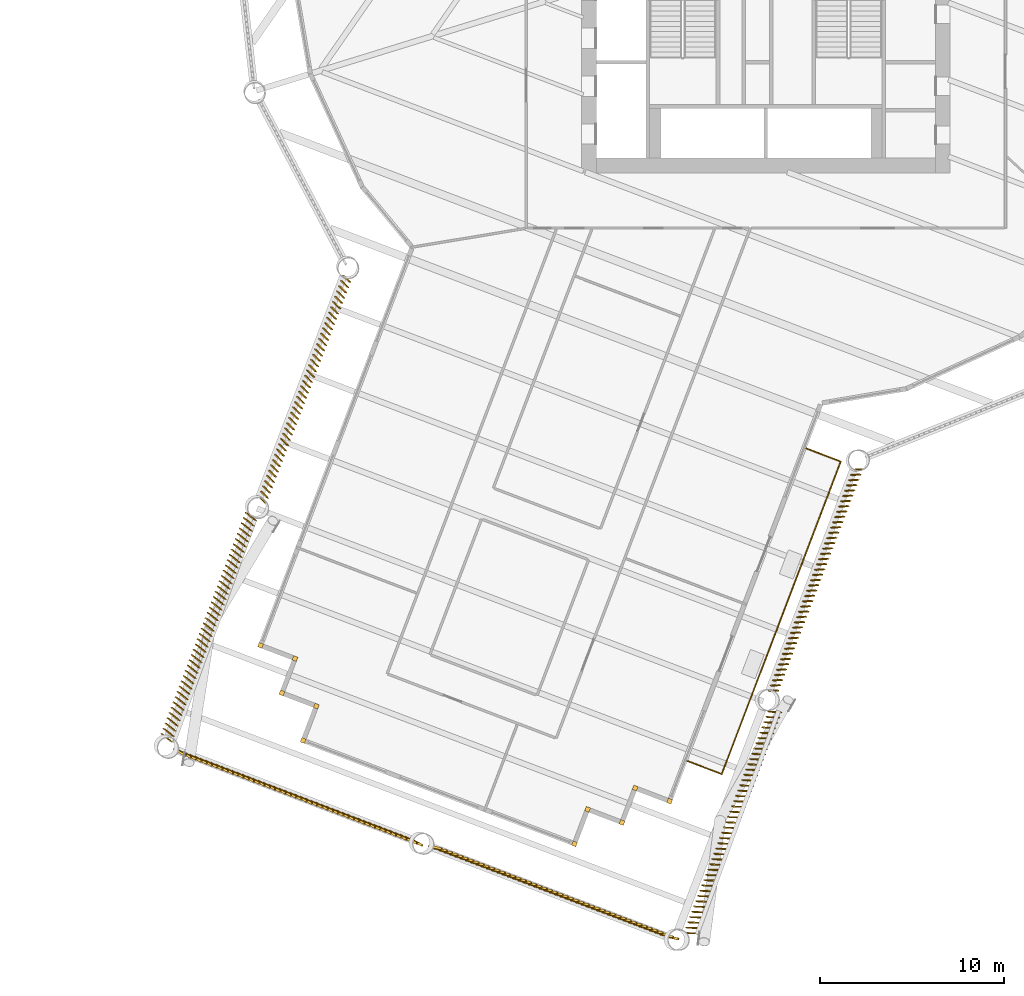
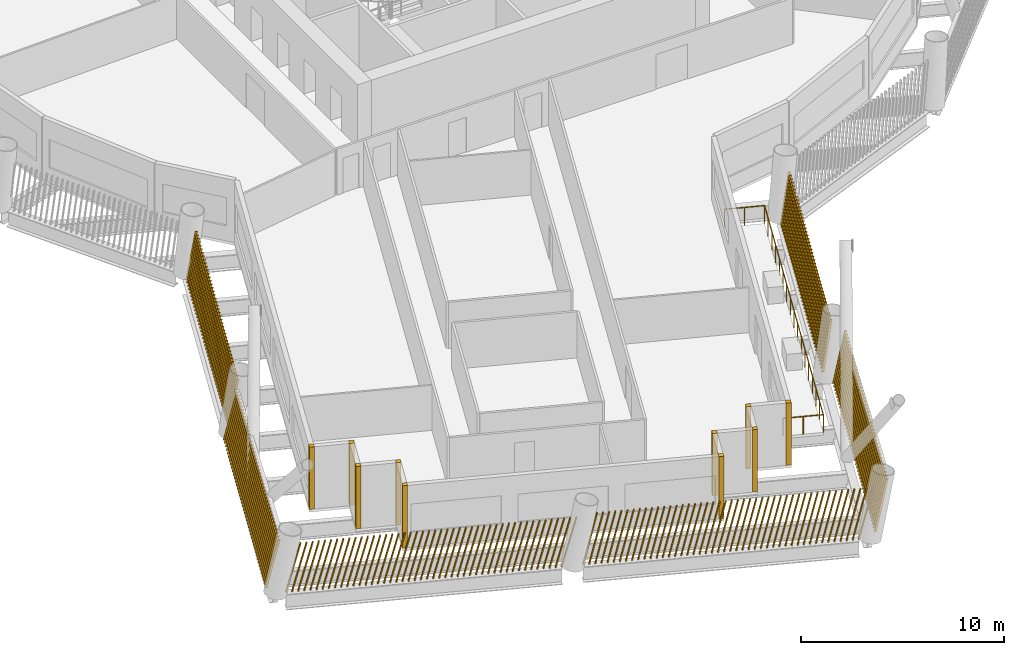
# One storey, part 18 of 23: 16 shading devices, 1 railing.
"""IFC4 building model written with IfcOpenShell, lengths in metres."""

from ifc_helpers import new_model, si_unit, direction, frame, frame_2d, origin, origin_2d, place, context, subcontext, project, spatial, rectangle, circle, composite_profile, extrude, material, type_object, element, save


model = new_model("IFC4")

# Units and contexts
model_context = context("Model", 3, precision=1e-05, world=origin(), true_north=direction((0.0, 1.0)))
body_context = subcontext(model_context, "Body", "Model", "MODEL_VIEW")
ifc_project = project(units=[si_unit("LENGTHUNIT", "METRE"), si_unit("AREAUNIT", "SQUARE_METRE"), si_unit("VOLUMEUNIT", "CUBIC_METRE"), si_unit("PLANEANGLEUNIT", "RADIAN"), si_unit("MASSUNIT", "GRAM", prefix="KILO")], contexts=[model_context])

# Site, building, storey
site_placement = place(None, origin())
site = spatial("IfcSite", under=ifc_project, at=site_placement, CompositionType="ELEMENT")
building_placement = place(site_placement, origin())
building = spatial("IfcBuilding", under=site, at=building_placement, Name="Tarsis Ring Headquarters", CompositionType="ELEMENT")
storey_placement = place(building_placement, frame((0.0, 0.0, 131.800048828125)))
storey = spatial("IfcBuildingStorey", under=building, at=storey_placement, Name="L30", CompositionType="ELEMENT", Elevation=131.800048828125)

# Railing
ifc_material_1 = material(Name="Stainless steel guard", Category="steel")
railing_type = type_object("IfcRailingType", Name="Balcony balustrade with mesh infill 1100", PredefinedType="BALUSTRADE", material=ifc_material_1)
railing_placement = place(storey_placement, frame((-4.260498046875, -44.92333984375, 0.0)))
element("IfcRailing", 1, at=railing_placement, inside=storey, type_object=railing_type, Name="Balcony balustrade L30-16", PredefinedType="BALUSTRADE", context=body_context, shape_type="SweptSolid", body=[
    extrude(circle(Radius=0.030029296875, at=origin_2d()), frame((0.0, 0.0, 1.070068359375), z_axis=(0.934592121666, -0.355721191554, 0.0), x_axis=(0.355721191554, 0.934592121666, 0.0)), (0.0, 0.0, 1.0), 2.0),
    extrude(circle(Radius=0.030029296875, at=origin_2d()), frame((1.869140625, -0.71142578125, 1.070068359375), z_axis=(0.355759284211, 0.934577622083, 0.0), x_axis=(-0.934577622083, 0.355759284211, 0.0)), (0.0, 0.0, 1.0), 18.1513671875),
    extrude(circle(Radius=0.030029296875, at=origin_2d()), frame((8.32666015625, 16.25244140625, 1.070068359375), z_axis=(-0.934607565863, 0.35568061211, 0.0), x_axis=(-0.35568061211, -0.934607565863, 0.0)), (0.0, 0.0, 1.0), 2.000244140625),
    extrude(circle(Radius=0.02490234375, at=origin_2d()), origin(), (0.0, 0.0, 1.0), 1.0400390625),
    extrude(circle(Radius=0.02490234375, at=origin_2d()), frame((0.9345703125, -0.355712890625, 0.0)), (0.0, 0.0, 1.0), 1.0400390625),
    extrude(circle(Radius=0.02490234375, at=origin_2d()), frame((1.869140625, -0.71142578125, 0.0)), (0.0, 0.0, 1.0), 1.0400390625),
    extrude(circle(Radius=0.02490234375, at=origin_2d()), frame((2.272705078125, 0.348876953125, 0.0)), (0.0, 0.0, 1.0), 1.0400390625),
    extrude(circle(Radius=0.02490234375, at=origin_2d()), frame((2.67626953125, 1.4091796875, 0.0)), (0.0, 0.0, 1.0), 1.0400390625),
    extrude(circle(Radius=0.02490234375, at=origin_2d()), frame((3.079833984375, 2.46923828125, 0.0)), (0.0, 0.0, 1.0), 1.0400390625),
    extrude(circle(Radius=0.02490234375, at=origin_2d()), frame((3.4833984375, 3.529541015625, 0.0)), (0.0, 0.0, 1.0), 1.0400390625),
    extrude(circle(Radius=0.02490234375, at=origin_2d()), frame((3.88720703125, 4.58984375, 0.0)), (0.0, 0.0, 1.0), 1.0400390625),
    extrude(circle(Radius=0.02490234375, at=origin_2d()), frame((4.290771484375, 5.64990234375, 0.0)), (0.0, 0.0, 1.0), 1.0400390625),
    extrude(circle(Radius=0.02490234375, at=origin_2d()), frame((4.6943359375, 6.710205078125, 0.0)), (0.0, 0.0, 1.0), 1.0400390625),
    extrude(circle(Radius=0.02490234375, at=origin_2d()), frame((5.097900390625, 7.7705078125, 0.0)), (0.0, 0.0, 1.0), 1.0400390625),
    extrude(circle(Radius=0.02490234375, at=origin_2d()), frame((5.50146484375, 8.830810546875, 0.0)), (0.0, 0.0, 1.0), 1.0400390625),
    extrude(circle(Radius=0.02490234375, at=origin_2d()), frame((5.905029296875, 9.89111328125, 0.0)), (0.0, 0.0, 1.0), 1.0400390625),
    extrude(circle(Radius=0.02490234375, at=origin_2d()), frame((6.30859375, 10.951171875, 0.0)), (0.0, 0.0, 1.0), 1.0400390625),
    extrude(circle(Radius=0.02490234375, at=origin_2d()), frame((6.71240234375, 12.011474609375, 0.0)), (0.0, 0.0, 1.0), 1.0400390625),
    extrude(circle(Radius=0.02490234375, at=origin_2d()), frame((7.115966796875, 13.07177734375, 0.0)), (0.0, 0.0, 1.0), 1.0400390625),
    extrude(circle(Radius=0.02490234375, at=origin_2d()), frame((7.51953125, 14.1318359375, 0.0)), (0.0, 0.0, 1.0), 1.0400390625),
    extrude(circle(Radius=0.02490234375, at=origin_2d()), frame((7.923095703125, 15.192138671875, 0.0)), (0.0, 0.0, 1.0), 1.0400390625),
    extrude(circle(Radius=0.02490234375, at=origin_2d()), frame((8.32666015625, 16.25244140625, 0.0)), (0.0, 0.0, 1.0), 1.0400390625),
    extrude(circle(Radius=0.02490234375, at=origin_2d()), frame((7.39208984375, 16.608154296875, 0.0)), (0.0, 0.0, 1.0), 1.0400390625),
    extrude(circle(Radius=0.02490234375, at=origin_2d()), frame((6.457275390625, 16.9638671875, 0.0)), (0.0, 0.0, 1.0), 1.0400390625),
])

# Shading devices
ifc_material_2 = material(Name="Terracotta baguette", Category="masonry")
shading_device_type_1 = type_object("IfcShadingDeviceType", Name="Terracotta baguette screen", PredefinedType="USERDEFINED", material=ifc_material_2)
shading_device_1_placement = place(storey_placement, frame((-22.902099609375, -18.562255859375, 0.0), z_axis=(0.0, 0.0, 1.0), x_axis=(-0.355762862603, -0.93458474464, 0.0)))
element("IfcShadingDevice", 2, at=shading_device_1_placement, inside=storey, type_object=shading_device_type_1, Name="Baguette screen L30-01", ObjectType="Terracotta baguette screen", PredefinedType="USERDEFINED", context=body_context, shape_type="SweptSolid", body=[
    extrude(composite_profile([rectangle(XDim=0.06005859375, YDim=0.1201171875, at=frame_2d((0.030029296875, 0.0))), rectangle(XDim=0.06005859375, YDim=0.1201171875, at=frame_2d((0.335693359375, 0.0))), rectangle(XDim=0.06005859375, YDim=0.1201171875, at=frame_2d((0.6416015625, 0.0))), rectangle(XDim=0.06005859375, YDim=0.1201171875, at=frame_2d((0.947265625, 0.0))), rectangle(XDim=0.06005859375, YDim=0.1201171875, at=frame_2d((1.253173828125, 0.0))), rectangle(XDim=0.06005859375, YDim=0.1201171875, at=frame_2d((1.558837890625, 0.0))), rectangle(XDim=0.06005859375, YDim=0.1201171875, at=frame_2d((1.864501953125, 0.0))), rectangle(XDim=0.06005859375, YDim=0.1201171875, at=frame_2d((2.17041015625, 0.0))), rectangle(XDim=0.06005859375, YDim=0.1201171875, at=frame_2d((2.47607421875, 0.0))), rectangle(XDim=0.06005859375, YDim=0.1201171875, at=frame_2d((2.781982421875, 0.0))), rectangle(XDim=0.06005859375, YDim=0.1201171875, at=frame_2d((3.087646484375, 0.0))), rectangle(XDim=0.06005859375, YDim=0.1201171875, at=frame_2d((3.393310546875, 0.0))), rectangle(XDim=0.06005859375, YDim=0.1201171875, at=frame_2d((3.69921875, 0.0))), rectangle(XDim=0.06005859375, YDim=0.1201171875, at=frame_2d((4.0048828125, 0.0))), rectangle(XDim=0.06005859375, YDim=0.1201171875, at=frame_2d((4.310791015625, 0.0))), rectangle(XDim=0.06005859375, YDim=0.1201171875, at=frame_2d((4.616455078125, 0.0))), rectangle(XDim=0.06005859375, YDim=0.1201171875, at=frame_2d((4.922119140625, 0.0))), rectangle(XDim=0.06005859375, YDim=0.1201171875, at=frame_2d((5.22802734375, 0.0))), rectangle(XDim=0.06005859375, YDim=0.1201171875, at=frame_2d((5.53369140625, 0.0))), rectangle(XDim=0.06005859375, YDim=0.1201171875, at=frame_2d((5.839599609375, 0.0))), rectangle(XDim=0.06005859375, YDim=0.1201171875, at=frame_2d((6.145263671875, 0.0))), rectangle(XDim=0.06005859375, YDim=0.1201171875, at=frame_2d((6.451171875, 0.0))), rectangle(XDim=0.06005859375, YDim=0.1201171875, at=frame_2d((6.7568359375, 0.0))), rectangle(XDim=0.06005859375, YDim=0.1201171875, at=frame_2d((7.0625, 0.0))), rectangle(XDim=0.06005859375, YDim=0.1201171875, at=frame_2d((7.368408203125, 0.0))), rectangle(XDim=0.06005859375, YDim=0.1201171875, at=frame_2d((7.674072265625, 0.0))), rectangle(XDim=0.06005859375, YDim=0.1201171875, at=frame_2d((7.97998046875, 0.0))), rectangle(XDim=0.06005859375, YDim=0.1201171875, at=frame_2d((8.28564453125, 0.0))), rectangle(XDim=0.06005859375, YDim=0.1201171875, at=frame_2d((8.59130859375, 0.0))), rectangle(XDim=0.06005859375, YDim=0.1201171875, at=frame_2d((8.897216796875, 0.0))), rectangle(XDim=0.06005859375, YDim=0.1201171875, at=frame_2d((9.202880859375, 0.0))), rectangle(XDim=0.06005859375, YDim=0.1201171875, at=frame_2d((9.5087890625, 0.0))), rectangle(XDim=0.06005859375, YDim=0.1201171875, at=frame_2d((9.814453125, 0.0))), rectangle(XDim=0.06005859375, YDim=0.1201171875, at=frame_2d((10.1201171875, 0.0))), rectangle(XDim=0.06005859375, YDim=0.1201171875, at=frame_2d((10.426025390625, 0.0))), rectangle(XDim=0.06005859375, YDim=0.1201171875, at=frame_2d((10.731689453125, 0.0))), rectangle(XDim=0.06005859375, YDim=0.1201171875, at=frame_2d((11.03759765625, 0.0))), rectangle(XDim=0.06005859375, YDim=0.1201171875, at=frame_2d((11.34326171875, 0.0))), rectangle(XDim=0.06005859375, YDim=0.1201171875, at=frame_2d((11.64892578125, 0.0))), rectangle(XDim=0.06005859375, YDim=0.1201171875, at=frame_2d((11.954833984375, 0.0))), rectangle(XDim=0.06005859375, YDim=0.1201171875, at=frame_2d((12.260498046875, 0.0))), rectangle(XDim=0.06005859375, YDim=0.1201171875, at=frame_2d((12.56640625, 0.0))), rectangle(XDim=0.06005859375, YDim=0.1201171875, at=frame_2d((12.8720703125, 0.0)))]), origin(), (0.066364674253, 0.14584674365, 0.98707874933), 2.9912109375),
])
shading_device_2_placement = place(storey_placement, frame((-28.1982421875, -31.421630859375, 0.0), z_axis=(0.0, 0.0, 1.0), x_axis=(-0.355762862603, -0.93458474464, 0.0)))
element("IfcShadingDevice", 3, at=shading_device_2_placement, inside=storey, type_object=shading_device_type_1, Name="Baguette screen L30-02", ObjectType="Terracotta baguette screen", PredefinedType="USERDEFINED", context=body_context, shape_type="SweptSolid", body=[
    extrude(composite_profile([rectangle(XDim=0.06005859375, YDim=0.1201171875, at=frame_2d((0.030029296875, 0.0))), rectangle(XDim=0.06005859375, YDim=0.1201171875, at=frame_2d((0.335693359375, 0.0))), rectangle(XDim=0.06005859375, YDim=0.1201171875, at=frame_2d((0.6416015625, 0.0))), rectangle(XDim=0.06005859375, YDim=0.1201171875, at=frame_2d((0.947265625, 0.0))), rectangle(XDim=0.06005859375, YDim=0.1201171875, at=frame_2d((1.253173828125, 0.0))), rectangle(XDim=0.06005859375, YDim=0.1201171875, at=frame_2d((1.558837890625, 0.0))), rectangle(XDim=0.06005859375, YDim=0.1201171875, at=frame_2d((1.864501953125, 0.0))), rectangle(XDim=0.06005859375, YDim=0.1201171875, at=frame_2d((2.17041015625, 0.0))), rectangle(XDim=0.06005859375, YDim=0.1201171875, at=frame_2d((2.47607421875, 0.0))), rectangle(XDim=0.06005859375, YDim=0.1201171875, at=frame_2d((2.781982421875, 0.0))), rectangle(XDim=0.06005859375, YDim=0.1201171875, at=frame_2d((3.087646484375, 0.0))), rectangle(XDim=0.06005859375, YDim=0.1201171875, at=frame_2d((3.393310546875, 0.0))), rectangle(XDim=0.06005859375, YDim=0.1201171875, at=frame_2d((3.69921875, 0.0))), rectangle(XDim=0.06005859375, YDim=0.1201171875, at=frame_2d((4.0048828125, 0.0))), rectangle(XDim=0.06005859375, YDim=0.1201171875, at=frame_2d((4.310791015625, 0.0))), rectangle(XDim=0.06005859375, YDim=0.1201171875, at=frame_2d((4.616455078125, 0.0))), rectangle(XDim=0.06005859375, YDim=0.1201171875, at=frame_2d((4.922119140625, 0.0))), rectangle(XDim=0.06005859375, YDim=0.1201171875, at=frame_2d((5.22802734375, 0.0))), rectangle(XDim=0.06005859375, YDim=0.1201171875, at=frame_2d((5.53369140625, 0.0))), rectangle(XDim=0.06005859375, YDim=0.1201171875, at=frame_2d((5.839599609375, 0.0))), rectangle(XDim=0.06005859375, YDim=0.1201171875, at=frame_2d((6.145263671875, 0.0))), rectangle(XDim=0.06005859375, YDim=0.1201171875, at=frame_2d((6.451171875, 0.0))), rectangle(XDim=0.06005859375, YDim=0.1201171875, at=frame_2d((6.7568359375, 0.0))), rectangle(XDim=0.06005859375, YDim=0.1201171875, at=frame_2d((7.0625, 0.0))), rectangle(XDim=0.06005859375, YDim=0.1201171875, at=frame_2d((7.368408203125, 0.0))), rectangle(XDim=0.06005859375, YDim=0.1201171875, at=frame_2d((7.674072265625, 0.0))), rectangle(XDim=0.06005859375, YDim=0.1201171875, at=frame_2d((7.97998046875, 0.0))), rectangle(XDim=0.06005859375, YDim=0.1201171875, at=frame_2d((8.28564453125, 0.0))), rectangle(XDim=0.06005859375, YDim=0.1201171875, at=frame_2d((8.59130859375, 0.0))), rectangle(XDim=0.06005859375, YDim=0.1201171875, at=frame_2d((8.897216796875, 0.0))), rectangle(XDim=0.06005859375, YDim=0.1201171875, at=frame_2d((9.202880859375, 0.0))), rectangle(XDim=0.06005859375, YDim=0.1201171875, at=frame_2d((9.5087890625, 0.0))), rectangle(XDim=0.06005859375, YDim=0.1201171875, at=frame_2d((9.814453125, 0.0))), rectangle(XDim=0.06005859375, YDim=0.1201171875, at=frame_2d((10.1201171875, 0.0))), rectangle(XDim=0.06005859375, YDim=0.1201171875, at=frame_2d((10.426025390625, 0.0))), rectangle(XDim=0.06005859375, YDim=0.1201171875, at=frame_2d((10.731689453125, 0.0))), rectangle(XDim=0.06005859375, YDim=0.1201171875, at=frame_2d((11.03759765625, 0.0))), rectangle(XDim=0.06005859375, YDim=0.1201171875, at=frame_2d((11.34326171875, 0.0))), rectangle(XDim=0.06005859375, YDim=0.1201171875, at=frame_2d((11.64892578125, 0.0))), rectangle(XDim=0.06005859375, YDim=0.1201171875, at=frame_2d((11.954833984375, 0.0))), rectangle(XDim=0.06005859375, YDim=0.1201171875, at=frame_2d((12.260498046875, 0.0))), rectangle(XDim=0.06005859375, YDim=0.1201171875, at=frame_2d((12.56640625, 0.0))), rectangle(XDim=0.06005859375, YDim=0.1201171875, at=frame_2d((12.8720703125, 0.0)))]), origin(), (0.066887915241, 0.206799628605, 0.976094216971), 3.02490234375),
])
shading_device_3_placement = place(storey_placement, frame((-32.148681640625, -44.25830078125, 0.0), z_axis=(0.0, 0.0, 1.0), x_axis=(0.934577620522, -0.35575409111, 0.0)))
element("IfcShadingDevice", 4, at=shading_device_3_placement, inside=storey, type_object=shading_device_type_1, Name="Baguette screen L30-03", ObjectType="Terracotta baguette screen", PredefinedType="USERDEFINED", context=body_context, shape_type="SweptSolid", body=[
    extrude(composite_profile([rectangle(XDim=0.06005859375, YDim=0.1201171875, at=frame_2d((0.030029296875, 0.0))), rectangle(XDim=0.06005859375, YDim=0.1201171875, at=frame_2d((0.33544921875, 0.0))), rectangle(XDim=0.06005859375, YDim=0.1201171875, at=frame_2d((0.640625, 0.0))), rectangle(XDim=0.06005859375, YDim=0.1201171875, at=frame_2d((0.946044921875, 0.0))), rectangle(XDim=0.06005859375, YDim=0.1201171875, at=frame_2d((1.25146484375, 0.0))), rectangle(XDim=0.06005859375, YDim=0.1201171875, at=frame_2d((1.556640625, 0.0))), rectangle(XDim=0.06005859375, YDim=0.1201171875, at=frame_2d((1.862060546875, 0.0))), rectangle(XDim=0.06005859375, YDim=0.1201171875, at=frame_2d((2.16748046875, 0.0))), rectangle(XDim=0.06005859375, YDim=0.1201171875, at=frame_2d((2.47265625, 0.0))), rectangle(XDim=0.06005859375, YDim=0.1201171875, at=frame_2d((2.778076171875, 0.0))), rectangle(XDim=0.06005859375, YDim=0.1201171875, at=frame_2d((3.08349609375, 0.0))), rectangle(XDim=0.06005859375, YDim=0.1201171875, at=frame_2d((3.388671875, 0.0))), rectangle(XDim=0.06005859375, YDim=0.1201171875, at=frame_2d((3.694091796875, 0.0))), rectangle(XDim=0.06005859375, YDim=0.1201171875, at=frame_2d((3.99951171875, 0.0))), rectangle(XDim=0.06005859375, YDim=0.1201171875, at=frame_2d((4.3046875, 0.0))), rectangle(XDim=0.06005859375, YDim=0.1201171875, at=frame_2d((4.610107421875, 0.0))), rectangle(XDim=0.06005859375, YDim=0.1201171875, at=frame_2d((4.91552734375, 0.0))), rectangle(XDim=0.06005859375, YDim=0.1201171875, at=frame_2d((5.220703125, 0.0))), rectangle(XDim=0.06005859375, YDim=0.1201171875, at=frame_2d((5.526123046875, 0.0))), rectangle(XDim=0.06005859375, YDim=0.1201171875, at=frame_2d((5.83154296875, 0.0))), rectangle(XDim=0.06005859375, YDim=0.1201171875, at=frame_2d((6.13671875, 0.0))), rectangle(XDim=0.06005859375, YDim=0.1201171875, at=frame_2d((6.442138671875, 0.0))), rectangle(XDim=0.06005859375, YDim=0.1201171875, at=frame_2d((6.74755859375, 0.0))), rectangle(XDim=0.06005859375, YDim=0.1201171875, at=frame_2d((7.052734375, 0.0))), rectangle(XDim=0.06005859375, YDim=0.1201171875, at=frame_2d((7.358154296875, 0.0))), rectangle(XDim=0.06005859375, YDim=0.1201171875, at=frame_2d((7.66357421875, 0.0))), rectangle(XDim=0.06005859375, YDim=0.1201171875, at=frame_2d((7.96875, 0.0))), rectangle(XDim=0.06005859375, YDim=0.1201171875, at=frame_2d((8.274169921875, 0.0))), rectangle(XDim=0.06005859375, YDim=0.1201171875, at=frame_2d((8.57958984375, 0.0))), rectangle(XDim=0.06005859375, YDim=0.1201171875, at=frame_2d((8.884765625, 0.0))), rectangle(XDim=0.06005859375, YDim=0.1201171875, at=frame_2d((9.190185546875, 0.0))), rectangle(XDim=0.06005859375, YDim=0.1201171875, at=frame_2d((9.49560546875, 0.0))), rectangle(XDim=0.06005859375, YDim=0.1201171875, at=frame_2d((9.80078125, 0.0))), rectangle(XDim=0.06005859375, YDim=0.1201171875, at=frame_2d((10.106201171875, 0.0))), rectangle(XDim=0.06005859375, YDim=0.1201171875, at=frame_2d((10.41162109375, 0.0))), rectangle(XDim=0.06005859375, YDim=0.1201171875, at=frame_2d((10.716796875, 0.0))), rectangle(XDim=0.06005859375, YDim=0.1201171875, at=frame_2d((11.022216796875, 0.0))), rectangle(XDim=0.06005859375, YDim=0.1201171875, at=frame_2d((11.32763671875, 0.0))), rectangle(XDim=0.06005859375, YDim=0.1201171875, at=frame_2d((11.6328125, 0.0))), rectangle(XDim=0.06005859375, YDim=0.1201171875, at=frame_2d((11.938232421875, 0.0))), rectangle(XDim=0.06005859375, YDim=0.1201171875, at=frame_2d((12.24365234375, 0.0))), rectangle(XDim=0.06005859375, YDim=0.1201171875, at=frame_2d((12.548828125, 0.0))), rectangle(XDim=0.06005859375, YDim=0.1201171875, at=frame_2d((12.854248046875, 0.0))), rectangle(XDim=0.06005859375, YDim=0.1201171875, at=frame_2d((13.15966796875, 0.0))), rectangle(XDim=0.06005859375, YDim=0.1201171875, at=frame_2d((13.46484375, 0.0))), rectangle(XDim=0.06005859375, YDim=0.1201171875, at=frame_2d((13.770263671875, 0.0)))]), origin(), (0.236622153532, -0.031523358584, 0.971090229753), 3.04052734375),
])
shading_device_4_placement = place(storey_placement, frame((-18.31689453125, -49.523681640625, 0.0), z_axis=(0.0, 0.0, 1.0), x_axis=(0.934577620522, -0.35575409111, 0.0)))
element("IfcShadingDevice", 5, at=shading_device_4_placement, inside=storey, type_object=shading_device_type_1, Name="Baguette screen L30-04", ObjectType="Terracotta baguette screen", PredefinedType="USERDEFINED", context=body_context, shape_type="SweptSolid", body=[
    extrude(composite_profile([rectangle(XDim=0.06005859375, YDim=0.1201171875, at=frame_2d((0.030029296875, 0.0))), rectangle(XDim=0.06005859375, YDim=0.1201171875, at=frame_2d((0.33544921875, 0.0))), rectangle(XDim=0.06005859375, YDim=0.1201171875, at=frame_2d((0.640625, 0.0))), rectangle(XDim=0.06005859375, YDim=0.1201171875, at=frame_2d((0.946044921875, 0.0))), rectangle(XDim=0.06005859375, YDim=0.1201171875, at=frame_2d((1.25146484375, 0.0))), rectangle(XDim=0.06005859375, YDim=0.1201171875, at=frame_2d((1.556640625, 0.0))), rectangle(XDim=0.06005859375, YDim=0.1201171875, at=frame_2d((1.862060546875, 0.0))), rectangle(XDim=0.06005859375, YDim=0.1201171875, at=frame_2d((2.16748046875, 0.0))), rectangle(XDim=0.06005859375, YDim=0.1201171875, at=frame_2d((2.47265625, 0.0))), rectangle(XDim=0.06005859375, YDim=0.1201171875, at=frame_2d((2.778076171875, 0.0))), rectangle(XDim=0.06005859375, YDim=0.1201171875, at=frame_2d((3.08349609375, 0.0))), rectangle(XDim=0.06005859375, YDim=0.1201171875, at=frame_2d((3.388671875, 0.0))), rectangle(XDim=0.06005859375, YDim=0.1201171875, at=frame_2d((3.694091796875, 0.0))), rectangle(XDim=0.06005859375, YDim=0.1201171875, at=frame_2d((3.99951171875, 0.0))), rectangle(XDim=0.06005859375, YDim=0.1201171875, at=frame_2d((4.3046875, 0.0))), rectangle(XDim=0.06005859375, YDim=0.1201171875, at=frame_2d((4.610107421875, 0.0))), rectangle(XDim=0.06005859375, YDim=0.1201171875, at=frame_2d((4.91552734375, 0.0))), rectangle(XDim=0.06005859375, YDim=0.1201171875, at=frame_2d((5.220703125, 0.0))), rectangle(XDim=0.06005859375, YDim=0.1201171875, at=frame_2d((5.526123046875, 0.0))), rectangle(XDim=0.06005859375, YDim=0.1201171875, at=frame_2d((5.83154296875, 0.0))), rectangle(XDim=0.06005859375, YDim=0.1201171875, at=frame_2d((6.13671875, 0.0))), rectangle(XDim=0.06005859375, YDim=0.1201171875, at=frame_2d((6.442138671875, 0.0))), rectangle(XDim=0.06005859375, YDim=0.1201171875, at=frame_2d((6.74755859375, 0.0))), rectangle(XDim=0.06005859375, YDim=0.1201171875, at=frame_2d((7.052734375, 0.0))), rectangle(XDim=0.06005859375, YDim=0.1201171875, at=frame_2d((7.358154296875, 0.0))), rectangle(XDim=0.06005859375, YDim=0.1201171875, at=frame_2d((7.66357421875, 0.0))), rectangle(XDim=0.06005859375, YDim=0.1201171875, at=frame_2d((7.96875, 0.0))), rectangle(XDim=0.06005859375, YDim=0.1201171875, at=frame_2d((8.274169921875, 0.0))), rectangle(XDim=0.06005859375, YDim=0.1201171875, at=frame_2d((8.57958984375, 0.0))), rectangle(XDim=0.06005859375, YDim=0.1201171875, at=frame_2d((8.884765625, 0.0))), rectangle(XDim=0.06005859375, YDim=0.1201171875, at=frame_2d((9.190185546875, 0.0))), rectangle(XDim=0.06005859375, YDim=0.1201171875, at=frame_2d((9.49560546875, 0.0))), rectangle(XDim=0.06005859375, YDim=0.1201171875, at=frame_2d((9.80078125, 0.0))), rectangle(XDim=0.06005859375, YDim=0.1201171875, at=frame_2d((10.106201171875, 0.0))), rectangle(XDim=0.06005859375, YDim=0.1201171875, at=frame_2d((10.41162109375, 0.0))), rectangle(XDim=0.06005859375, YDim=0.1201171875, at=frame_2d((10.716796875, 0.0))), rectangle(XDim=0.06005859375, YDim=0.1201171875, at=frame_2d((11.022216796875, 0.0))), rectangle(XDim=0.06005859375, YDim=0.1201171875, at=frame_2d((11.32763671875, 0.0))), rectangle(XDim=0.06005859375, YDim=0.1201171875, at=frame_2d((11.6328125, 0.0))), rectangle(XDim=0.06005859375, YDim=0.1201171875, at=frame_2d((11.938232421875, 0.0))), rectangle(XDim=0.06005859375, YDim=0.1201171875, at=frame_2d((12.24365234375, 0.0))), rectangle(XDim=0.06005859375, YDim=0.1201171875, at=frame_2d((12.548828125, 0.0))), rectangle(XDim=0.06005859375, YDim=0.1201171875, at=frame_2d((12.854248046875, 0.0))), rectangle(XDim=0.06005859375, YDim=0.1201171875, at=frame_2d((13.15966796875, 0.0))), rectangle(XDim=0.06005859375, YDim=0.1201171875, at=frame_2d((13.46484375, 0.0))), rectangle(XDim=0.06005859375, YDim=0.1201171875, at=frame_2d((13.770263671875, 0.0)))]), origin(), (0.236171272477, 0.034739078597, 0.971090277201), 3.04052734375),
])
shading_device_5_placement = place(storey_placement, frame((-4.424072265625, -54.277099609375, 0.0), z_axis=(0.0, 0.0, 1.0), x_axis=(0.355762862603, 0.93458474464, 0.0)))
element("IfcShadingDevice", 6, at=shading_device_5_placement, inside=storey, type_object=shading_device_type_1, Name="Baguette screen L30-05", ObjectType="Terracotta baguette screen", PredefinedType="USERDEFINED", context=body_context, shape_type="SweptSolid", body=[
    extrude(composite_profile([rectangle(XDim=0.06005859375, YDim=0.1201171875, at=frame_2d((0.030029296875, 0.0))), rectangle(XDim=0.06005859375, YDim=0.1201171875, at=frame_2d((0.335693359375, 0.0))), rectangle(XDim=0.06005859375, YDim=0.1201171875, at=frame_2d((0.6416015625, 0.0))), rectangle(XDim=0.06005859375, YDim=0.1201171875, at=frame_2d((0.947265625, 0.0))), rectangle(XDim=0.06005859375, YDim=0.1201171875, at=frame_2d((1.253173828125, 0.0))), rectangle(XDim=0.06005859375, YDim=0.1201171875, at=frame_2d((1.558837890625, 0.0))), rectangle(XDim=0.06005859375, YDim=0.1201171875, at=frame_2d((1.864501953125, 0.0))), rectangle(XDim=0.06005859375, YDim=0.1201171875, at=frame_2d((2.17041015625, 0.0))), rectangle(XDim=0.06005859375, YDim=0.1201171875, at=frame_2d((2.47607421875, 0.0))), rectangle(XDim=0.06005859375, YDim=0.1201171875, at=frame_2d((2.781982421875, 0.0))), rectangle(XDim=0.06005859375, YDim=0.1201171875, at=frame_2d((3.087646484375, 0.0))), rectangle(XDim=0.06005859375, YDim=0.1201171875, at=frame_2d((3.393310546875, 0.0))), rectangle(XDim=0.06005859375, YDim=0.1201171875, at=frame_2d((3.69921875, 0.0))), rectangle(XDim=0.06005859375, YDim=0.1201171875, at=frame_2d((4.0048828125, 0.0))), rectangle(XDim=0.06005859375, YDim=0.1201171875, at=frame_2d((4.310791015625, 0.0))), rectangle(XDim=0.06005859375, YDim=0.1201171875, at=frame_2d((4.616455078125, 0.0))), rectangle(XDim=0.06005859375, YDim=0.1201171875, at=frame_2d((4.922119140625, 0.0))), rectangle(XDim=0.06005859375, YDim=0.1201171875, at=frame_2d((5.22802734375, 0.0))), rectangle(XDim=0.06005859375, YDim=0.1201171875, at=frame_2d((5.53369140625, 0.0))), rectangle(XDim=0.06005859375, YDim=0.1201171875, at=frame_2d((5.839599609375, 0.0))), rectangle(XDim=0.06005859375, YDim=0.1201171875, at=frame_2d((6.145263671875, 0.0))), rectangle(XDim=0.06005859375, YDim=0.1201171875, at=frame_2d((6.451171875, 0.0))), rectangle(XDim=0.06005859375, YDim=0.1201171875, at=frame_2d((6.7568359375, 0.0))), rectangle(XDim=0.06005859375, YDim=0.1201171875, at=frame_2d((7.0625, 0.0))), rectangle(XDim=0.06005859375, YDim=0.1201171875, at=frame_2d((7.368408203125, 0.0))), rectangle(XDim=0.06005859375, YDim=0.1201171875, at=frame_2d((7.674072265625, 0.0))), rectangle(XDim=0.06005859375, YDim=0.1201171875, at=frame_2d((7.97998046875, 0.0))), rectangle(XDim=0.06005859375, YDim=0.1201171875, at=frame_2d((8.28564453125, 0.0))), rectangle(XDim=0.06005859375, YDim=0.1201171875, at=frame_2d((8.59130859375, 0.0))), rectangle(XDim=0.06005859375, YDim=0.1201171875, at=frame_2d((8.897216796875, 0.0))), rectangle(XDim=0.06005859375, YDim=0.1201171875, at=frame_2d((9.202880859375, 0.0))), rectangle(XDim=0.06005859375, YDim=0.1201171875, at=frame_2d((9.5087890625, 0.0))), rectangle(XDim=0.06005859375, YDim=0.1201171875, at=frame_2d((9.814453125, 0.0))), rectangle(XDim=0.06005859375, YDim=0.1201171875, at=frame_2d((10.1201171875, 0.0))), rectangle(XDim=0.06005859375, YDim=0.1201171875, at=frame_2d((10.426025390625, 0.0))), rectangle(XDim=0.06005859375, YDim=0.1201171875, at=frame_2d((10.731689453125, 0.0))), rectangle(XDim=0.06005859375, YDim=0.1201171875, at=frame_2d((11.03759765625, 0.0))), rectangle(XDim=0.06005859375, YDim=0.1201171875, at=frame_2d((11.34326171875, 0.0))), rectangle(XDim=0.06005859375, YDim=0.1201171875, at=frame_2d((11.64892578125, 0.0))), rectangle(XDim=0.06005859375, YDim=0.1201171875, at=frame_2d((11.954833984375, 0.0))), rectangle(XDim=0.06005859375, YDim=0.1201171875, at=frame_2d((12.260498046875, 0.0))), rectangle(XDim=0.06005859375, YDim=0.1201171875, at=frame_2d((12.56640625, 0.0))), rectangle(XDim=0.06005859375, YDim=0.1201171875, at=frame_2d((12.8720703125, 0.0)))]), origin(), (0.069697126655, -0.205870115932, 0.976094158318), 3.02490234375),
])
shading_device_6_placement = place(storey_placement, frame((0.17138671875, -41.15087890625, 0.0), z_axis=(0.0, 0.0, 1.0), x_axis=(0.355762862603, 0.93458474464, 0.0)))
element("IfcShadingDevice", 7, at=shading_device_6_placement, inside=storey, type_object=shading_device_type_1, Name="Baguette screen L30-06", ObjectType="Terracotta baguette screen", PredefinedType="USERDEFINED", context=body_context, shape_type="SweptSolid", body=[
    extrude(composite_profile([rectangle(XDim=0.06005859375, YDim=0.1201171875, at=frame_2d((0.030029296875, 0.0))), rectangle(XDim=0.06005859375, YDim=0.1201171875, at=frame_2d((0.335693359375, 0.0))), rectangle(XDim=0.06005859375, YDim=0.1201171875, at=frame_2d((0.6416015625, 0.0))), rectangle(XDim=0.06005859375, YDim=0.1201171875, at=frame_2d((0.947265625, 0.0))), rectangle(XDim=0.06005859375, YDim=0.1201171875, at=frame_2d((1.253173828125, 0.0))), rectangle(XDim=0.06005859375, YDim=0.1201171875, at=frame_2d((1.558837890625, 0.0))), rectangle(XDim=0.06005859375, YDim=0.1201171875, at=frame_2d((1.864501953125, 0.0))), rectangle(XDim=0.06005859375, YDim=0.1201171875, at=frame_2d((2.17041015625, 0.0))), rectangle(XDim=0.06005859375, YDim=0.1201171875, at=frame_2d((2.47607421875, 0.0))), rectangle(XDim=0.06005859375, YDim=0.1201171875, at=frame_2d((2.781982421875, 0.0))), rectangle(XDim=0.06005859375, YDim=0.1201171875, at=frame_2d((3.087646484375, 0.0))), rectangle(XDim=0.06005859375, YDim=0.1201171875, at=frame_2d((3.393310546875, 0.0))), rectangle(XDim=0.06005859375, YDim=0.1201171875, at=frame_2d((3.69921875, 0.0))), rectangle(XDim=0.06005859375, YDim=0.1201171875, at=frame_2d((4.0048828125, 0.0))), rectangle(XDim=0.06005859375, YDim=0.1201171875, at=frame_2d((4.310791015625, 0.0))), rectangle(XDim=0.06005859375, YDim=0.1201171875, at=frame_2d((4.616455078125, 0.0))), rectangle(XDim=0.06005859375, YDim=0.1201171875, at=frame_2d((4.922119140625, 0.0))), rectangle(XDim=0.06005859375, YDim=0.1201171875, at=frame_2d((5.22802734375, 0.0))), rectangle(XDim=0.06005859375, YDim=0.1201171875, at=frame_2d((5.53369140625, 0.0))), rectangle(XDim=0.06005859375, YDim=0.1201171875, at=frame_2d((5.839599609375, 0.0))), rectangle(XDim=0.06005859375, YDim=0.1201171875, at=frame_2d((6.145263671875, 0.0))), rectangle(XDim=0.06005859375, YDim=0.1201171875, at=frame_2d((6.451171875, 0.0))), rectangle(XDim=0.06005859375, YDim=0.1201171875, at=frame_2d((6.7568359375, 0.0))), rectangle(XDim=0.06005859375, YDim=0.1201171875, at=frame_2d((7.0625, 0.0))), rectangle(XDim=0.06005859375, YDim=0.1201171875, at=frame_2d((7.368408203125, 0.0))), rectangle(XDim=0.06005859375, YDim=0.1201171875, at=frame_2d((7.674072265625, 0.0))), rectangle(XDim=0.06005859375, YDim=0.1201171875, at=frame_2d((7.97998046875, 0.0))), rectangle(XDim=0.06005859375, YDim=0.1201171875, at=frame_2d((8.28564453125, 0.0))), rectangle(XDim=0.06005859375, YDim=0.1201171875, at=frame_2d((8.59130859375, 0.0))), rectangle(XDim=0.06005859375, YDim=0.1201171875, at=frame_2d((8.897216796875, 0.0))), rectangle(XDim=0.06005859375, YDim=0.1201171875, at=frame_2d((9.202880859375, 0.0))), rectangle(XDim=0.06005859375, YDim=0.1201171875, at=frame_2d((9.5087890625, 0.0))), rectangle(XDim=0.06005859375, YDim=0.1201171875, at=frame_2d((9.814453125, 0.0))), rectangle(XDim=0.06005859375, YDim=0.1201171875, at=frame_2d((10.1201171875, 0.0))), rectangle(XDim=0.06005859375, YDim=0.1201171875, at=frame_2d((10.426025390625, 0.0))), rectangle(XDim=0.06005859375, YDim=0.1201171875, at=frame_2d((10.731689453125, 0.0))), rectangle(XDim=0.06005859375, YDim=0.1201171875, at=frame_2d((11.03759765625, 0.0))), rectangle(XDim=0.06005859375, YDim=0.1201171875, at=frame_2d((11.34326171875, 0.0))), rectangle(XDim=0.06005859375, YDim=0.1201171875, at=frame_2d((11.64892578125, 0.0))), rectangle(XDim=0.06005859375, YDim=0.1201171875, at=frame_2d((11.954833984375, 0.0))), rectangle(XDim=0.06005859375, YDim=0.1201171875, at=frame_2d((12.260498046875, 0.0))), rectangle(XDim=0.06005859375, YDim=0.1201171875, at=frame_2d((12.56640625, 0.0))), rectangle(XDim=0.06005859375, YDim=0.1201171875, at=frame_2d((12.8720703125, 0.0)))]), origin(), (0.068343899387, -0.144929538838, 0.987078791277), 2.9912109375),
])
shading_device_type_2 = type_object("IfcShadingDeviceType", Name="Terracotta corner baguette 250x250", PredefinedType="USERDEFINED", material=ifc_material_2)
for number, where, z_axis, x_axis, name in (
    (8, (-27.41845703125, -38.649169921875, 0.0), (0.0, 0.0, 1.0), (-0.355759507257, -0.934577537177, 0.0), "Corner baguette L30-07"),
    (9, (-25.54931640625, -39.360595703125, 0.0), (0.0, 0.0, 1.0), (0.934577599269, -0.355759344143, 0.0), "Corner baguette L30-08"),
    (10, (-26.260986328125, -41.229736328125, 0.0), (0.0, 0.0, 1.0), (-0.355760110781, -0.934577307438, 0.0), "Corner baguette L30-09"),
    (11, (-24.391845703125, -41.94140625, 0.0), (0.0, 0.0, 1.0), (0.934577537177, -0.355759507257, 0.0), "Corner baguette L30-10"),
    (12, (-25.103271484375, -43.810546875, 0.0), (0.0, 0.0, 1.0), (-0.355759344143, -0.934577599269, 0.0), "Corner baguette L30-11"),
    (13, (-10.3837890625, -49.41357421875, 0.0), (0.0, 0.0, 1.0), (0.934577543386, -0.355759490946, 0.0), "Corner baguette L30-12"),
    (14, (-9.672119140625, -47.54443359375, 0.0), (0.0, 0.0, 1.0), (0.355759507257, 0.934577537177, 0.0), "Corner baguette L30-13"),
    (15, (-7.802978515625, -48.256103515625, 0.0), (0.0, 0.0, 1.0), (0.934577537177, -0.355759507257, 0.0), "Corner baguette L30-14"),
    (16, (-7.091552734375, -46.386962890625, 0.0), (0.0, 0.0, 1.0), (0.355759344143, 0.934577599269, 0.0), "Corner baguette L30-15"),
    (17, (-5.222412109375, -47.098388671875, 0.0), (0.0, 0.0, 1.0), (0.934577537177, -0.355759507257, 0.0), "Corner baguette L30-16"),
):
    element("IfcShadingDevice", number, at=place(storey_placement, frame(where, z_axis=z_axis, x_axis=x_axis)), inside=storey, type_object=shading_device_type_2, Name=name, ObjectType="Terracotta corner baguette", PredefinedType="USERDEFINED", context=body_context, shape_type="SweptSolid", body=[
        extrude(rectangle(XDim=0.25, YDim=0.25, at=origin_2d()), origin(), (0.0, 0.0, 1.0), 3.739990234375),
    ])

save(model, "model.ifc")
